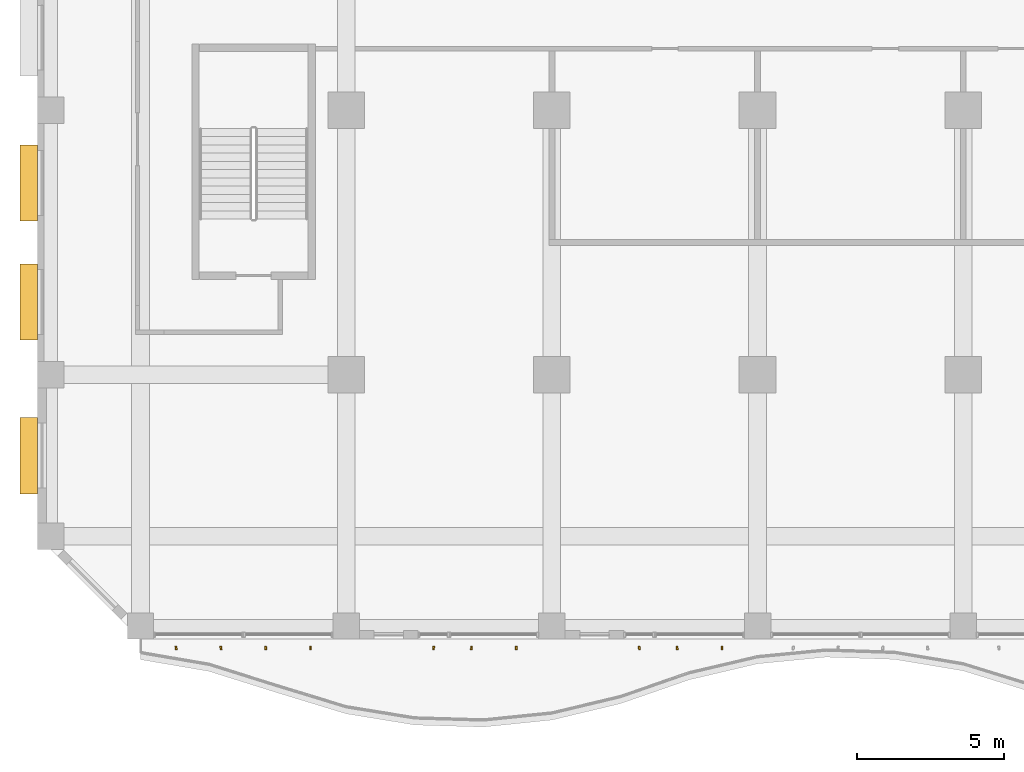
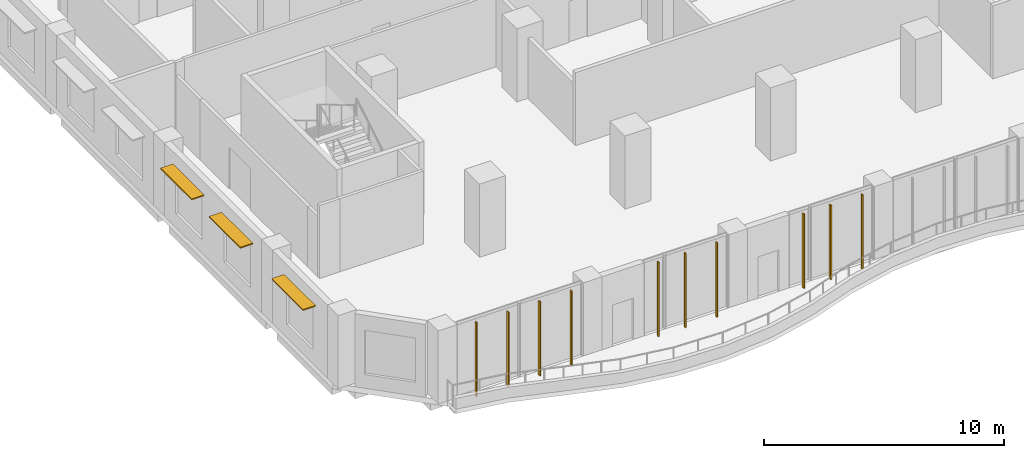
# One storey, part 18 of 27: 13 shading devices.
"""IFC4 building model written with IfcOpenShell, lengths in metres."""

from ifc_helpers import new_model, si_unit, direction, frame, origin, origin_2d, place, context, subcontext, project, spatial, rectangle, extrude, source, transform, mapped, material, layer, layer_set, material_profile, profile_set, type_object, element, save


model = new_model("IFC4")

# Units and contexts
model_context = context("Model", 3, precision=1e-05, world=origin(), true_north=direction((0.0, 1.0)))
body_context = subcontext(model_context, "Body", "Model", "MODEL_VIEW")
ifc_project = project(units=[si_unit("LENGTHUNIT", "METRE"), si_unit("AREAUNIT", "SQUARE_METRE"), si_unit("VOLUMEUNIT", "CUBIC_METRE"), si_unit("PLANEANGLEUNIT", "RADIAN"), si_unit("MASSUNIT", "GRAM", prefix="KILO")], contexts=[model_context])

# Site, building, storey
site_placement = place(None, origin())
site = spatial("IfcSite", under=ifc_project, at=site_placement, CompositionType="ELEMENT")
building_placement = place(site_placement, origin())
building = spatial("IfcBuilding", under=site, at=building_placement, Name="Kilnfold Tower and Market Hall", CompositionType="ELEMENT")
storey_placement = place(building_placement, frame((0.0, 0.0, 71.199951171875)))
storey = spatial("IfcBuildingStorey", under=building, at=storey_placement, Name="L16", CompositionType="ELEMENT", Elevation=71.199951171875)

# Shading devices
ifc_material_1 = material(Name="Terracotta", Category="masonry")
ifc_material_profile = material_profile(ifc_material_1, rectangle(XDim=0.06005859375, YDim=0.1201171875, at=origin_2d()), Name="BAG 60x120")
ifc_profile_set = profile_set([ifc_material_profile], Name="Terracotta")
shading_device_type_1 = type_object("IfcShadingDeviceType", Name="BAGUETTE", PredefinedType="USERDEFINED", material=ifc_profile_set)
shared_shape_1 = source(origin(), body_context, "Body", "SweptSolid", [
    extrude(rectangle(XDim=0.06005859375, YDim=0.1201171875, at=origin_2d()), origin(), (0.0, 0.0, 1.0), 3.780029296875),
])
for number, where, z_axis, x_axis, name in (
    (1, (-18.28759765625, -28.300048828125, 0.0), (0.0, 0.0, 1.0), (0.99117440451, 0.132564323421, 0.0), "Terracotta baguette L16 S"),
    (2, (-16.762451171875, -28.300048828125, 0.0), (0.0, 0.0, 1.0), (0.991565629523, 0.1296055645, 0.0), "Terracotta baguette L16 S"),
    (3, (-15.237548828125, -28.300048828125, 0.0), (0.0, 0.0, 1.0), (0.997658686143, 0.068389662692, 0.0), "Terracotta baguette L16 S"),
    (4, (-13.71240234375, -28.300048828125, 0.0), (0.0, 0.0, 1.0), (0.999714103672, -0.023910477182, 0.0), "Terracotta baguette L16 S"),
    (5, (-9.52490234375, -28.300048828125, 0.0), (0.0, 0.0, 1.0), (0.992345953643, -0.123488899458, 0.0), "Terracotta baguette L16 S"),
    (6, (-8.237548828125, -28.300048828125, 0.0), (0.0, 0.0, 1.0), (0.997658686143, -0.068389662692, 0.0), "Terracotta baguette L16 S"),
    (7, (-6.71240234375, -28.300048828125, 0.0), (0.0, 0.0, 1.0), (0.999714103672, 0.023910477182, 0.0), "Terracotta baguette L16 S"),
    (8, (-2.52490234375, -28.300048828125, 0.0), (0.0, 0.0, 1.0), (0.992345953643, 0.123488899458, 0.0), "Terracotta baguette L16 S"),
    (9, (-1.237548828125, -28.300048828125, 0.0), (0.0, 0.0, 1.0), (0.997658686143, 0.068389662692, 0.0), "Terracotta baguette L16 S"),
    (10, (0.28759765625, -28.300048828125, 0.0), (0.0, 0.0, 1.0), (0.999714103672, -0.023910477182, 0.0), "Terracotta baguette L16 S"),
):
    element("IfcShadingDevice", number, at=place(storey_placement, frame(where, z_axis=z_axis, x_axis=x_axis)), inside=storey, type_object=shading_device_type_1, Name=name, ObjectType="BAGUETTE", PredefinedType="USERDEFINED", context=body_context, shape_type="MappedRepresentation", body=[
        mapped(shared_shape_1, transform((0.0, 0.0, 0.0))),
    ])
ifc_material_2 = material(Name="Terracotta", Category="masonry")
ifc_layer = layer(ifc_material_2, 0.06005859375)
ifc_layer_set = layer_set([ifc_layer], Name="Terracotta")
shading_device_type_2 = type_object("IfcShadingDeviceType", Name="SUNSHADE BLADE 600", PredefinedType="USERDEFINED", material=ifc_layer_set)
shared_shape_2 = source(origin(), body_context, "Body", "SweptSolid", [
    extrude(rectangle(XDim=2.60009765625, YDim=0.60009765625, at=origin_2d()), origin(), (0.0, 0.0, 1.0), 0.06005859375),
])
for number, where, z_axis, x_axis, name in (
    (11, (-23.300048828125, -12.47509765625, 3.030029296875), (0.0, 0.0, 1.0), (0.0, -1.0, 0.0), "Sunshade L16 W"),
    (12, (-23.300048828125, -16.52490234375, 3.030029296875), (0.0, 0.0, 1.0), (0.0, -1.0, 0.0), "Sunshade L16 W"),
    (13, (-23.300048828125, -21.75, 3.030029296875), (0.0, 0.0, 1.0), (0.0, -1.0, 0.0), "Sunshade L16 W"),
):
    element("IfcShadingDevice", number, at=place(storey_placement, frame(where, z_axis=z_axis, x_axis=x_axis)), inside=storey, type_object=shading_device_type_2, Name=name, ObjectType="SUNSHADE", PredefinedType="USERDEFINED", context=body_context, shape_type="MappedRepresentation", body=[
        mapped(shared_shape_2, transform((0.0, 0.0, 0.0))),
    ])

save(model, "model.ifc")
